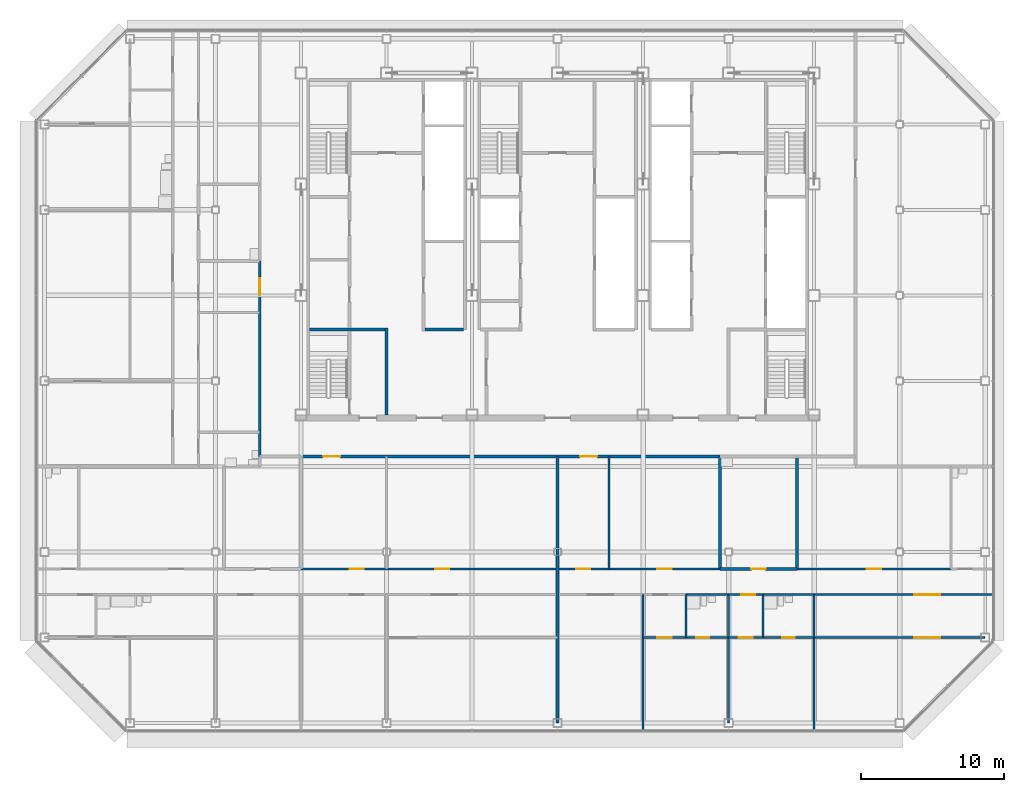
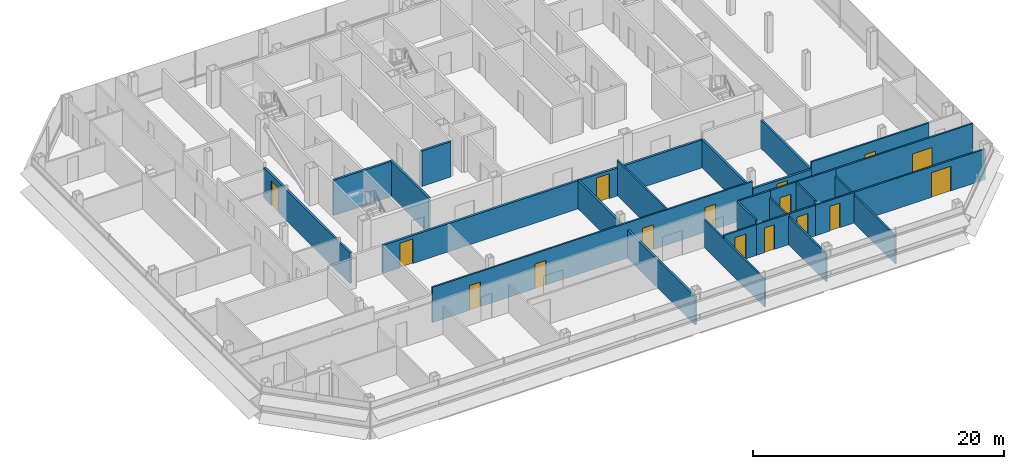
# One storey, part 22 of 27: 28 walls, 16 doors, 16 openings.
"""IFC4 building model written with IfcOpenShell, lengths in metres."""

from ifc_helpers import new_model, si_unit, direction, frame, frame_2d, origin, place, context, subcontext, project, spatial, rectangle, extrude, material, layer, layer_set, type_object, element, fill, save


model = new_model("IFC4")

# Units and contexts
model_context = context("Model", 3, precision=1e-05, world=origin(), true_north=direction((0.0, 1.0)))
body_context = subcontext(model_context, "Body", "Model", "MODEL_VIEW")
ifc_project = project(units=[si_unit("LENGTHUNIT", "METRE"), si_unit("AREAUNIT", "SQUARE_METRE"), si_unit("VOLUMEUNIT", "CUBIC_METRE"), si_unit("PLANEANGLEUNIT", "RADIAN"), si_unit("MASSUNIT", "GRAM", prefix="KILO")], contexts=[model_context])

# Site, building, storey
site_placement = place(None, origin())
site = spatial("IfcSite", under=ifc_project, at=site_placement, CompositionType="ELEMENT")
building_placement = place(site_placement, origin())
building = spatial("IfcBuilding", under=site, at=building_placement, Name="Sorahane Residences", CompositionType="ELEMENT")
storey_placement = place(building_placement, frame((0.0, 0.0, 246.800048828125)))
storey = spatial("IfcBuildingStorey", under=building, at=storey_placement, Name="L58", CompositionType="ELEMENT", Elevation=246.800048828125)

# Wall, opening, door
ifc_material_1 = material(Name="Concrete blockwork C20 wall", Category="masonry")
ifc_layer_1 = layer(ifc_material_1, 0.199951171875)
ifc_layer_set_1 = layer_set([ifc_layer_1], Name="Corridor wall 200 EI 120")
wall_type_1 = type_object("IfcWallType", Name="Corridor wall 200 EI 120", PredefinedType="SOLIDWALL", material=ifc_layer_set_1)
wall_1_placement = place(storey_placement, frame((3.10009765625, 18.699951171875, 0.0), z_axis=(0.0, 0.0, 1.0), x_axis=(0.0, 1.0, 0.0)))
wall_1 = element("IfcWall", 1, at=wall_1_placement, inside=storey, type_object=wall_type_1, Name="L58 corridor wall", PredefinedType="SOLIDWALL", context=body_context, shape_type="SweptSolid", body=[
    extrude(rectangle(XDim=13.699951171875, YDim=0.199951171875, at=frame_2d((6.85009765625, 0.0))), origin(), (0.0, 0.0, 1.0), 2.969970703125),
])
opening_1_placement = place(wall_1_placement, frame((11.300048828125, 0.0, 0.0)))
opening_1 = element("IfcOpeningElement", 2, at=opening_1_placement, cuts=wall_1, Name="Opening L58-42", PredefinedType="OPENING", context=body_context, shape_type="SweptSolid", body=[
    extrude(rectangle(XDim=1.199951171875, YDim=2.39990234375, at=frame_2d((0.60009765625, 1.199951171875))), frame((0.0, 0.10986328125, 0.0), z_axis=(0.0, -1.0, 0.0), x_axis=(1.0, 0.0, 0.0)), (0.0, 0.0, 1.0), 0.219970703125),
])
ifc_material_2 = material(Name="Timber veneered fire door", Category="wood")
door_type_1 = type_object("IfcDoorType", Name="Flat entrance door 1200x2400 FD60", OperationType="NOTDEFINED", PredefinedType="DOOR", material=ifc_material_2)
door_1_placement = place(opening_1_placement, origin())
door_1 = element("IfcDoor", 3, at=door_1_placement, inside=storey, type_object=door_type_1, Name="Flat entrance door L58-42", OperationType="SINGLE_SWING_LEFT", OverallHeight=2.39990234375, OverallWidth=1.199951171875, PredefinedType="DOOR", context=body_context, shape_type="SweptSolid", body=[
    extrude(rectangle(XDim=1.199951171875, YDim=2.39990234375, at=frame_2d((0.60009765625, 1.199951171875))), frame((0.0, 0.02490234375, 0.0), z_axis=(0.0, -1.0, 0.0), x_axis=(1.0, 0.0, 0.0)), (0.0, 0.0, 1.0), 0.050048828125),
])
fill(opening_1, door_1)

# Wall, openings, doors
wall_2_placement = place(storey_placement, frame((6.0, 18.699951171875, 0.0), z_axis=(0.0, 0.0, 1.0), x_axis=(1.0, 0.0, 0.0)))
wall_2 = element("IfcWall", 4, at=wall_2_placement, inside=storey, type_object=wall_type_1, Name="L58 corridor wall", PredefinedType="SOLIDWALL", context=body_context, shape_type="SweptSolid", body=[
    extrude(rectangle(XDim=29.39990234375, YDim=0.199951171875, at=frame_2d((14.699951171875, 0.0))), origin(), (0.0, 0.0, 1.0), 2.719970703125),
])
opening_2_placement = place(wall_2_placement, frame((1.5400390625, 0.0, 0.0)))
opening_2 = element("IfcOpeningElement", 5, at=opening_2_placement, cuts=wall_2, Name="Opening L58-40", PredefinedType="OPENING", context=body_context, shape_type="SweptSolid", body=[
    extrude(rectangle(XDim=1.199951171875, YDim=2.39990234375, at=frame_2d((0.60009765625, 1.199951171875))), frame((0.0, 0.10986328125, 0.0), z_axis=(0.0, -1.0, 0.0), x_axis=(1.0, 0.0, 0.0)), (0.0, 0.0, 1.0), 0.219970703125),
])
opening_3_placement = place(wall_2_placement, frame((19.580078125, 0.0, 0.0)))
opening_3 = element("IfcOpeningElement", 6, at=opening_3_placement, cuts=wall_2, Name="Opening L58-41", PredefinedType="OPENING", context=body_context, shape_type="SweptSolid", body=[
    extrude(rectangle(XDim=1.199951171875, YDim=2.39990234375, at=frame_2d((0.60009765625, 1.199951171875))), frame((0.0, 0.10986328125, 0.0), z_axis=(0.0, -1.0, 0.0), x_axis=(1.0, 0.0, 0.0)), (0.0, 0.0, 1.0), 0.219970703125),
])
door_2_placement = place(opening_2_placement, frame((1.199951171875, 0.0, 0.0), z_axis=(0.0, 0.0, 1.0), x_axis=(-1.0, 0.0, 0.0)))
door_2 = element("IfcDoor", 7, at=door_2_placement, inside=storey, type_object=door_type_1, Name="Flat entrance door L58-40", OperationType="SINGLE_SWING_LEFT", OverallHeight=2.39990234375, OverallWidth=1.199951171875, PredefinedType="DOOR", context=body_context, shape_type="SweptSolid", body=[
    extrude(rectangle(XDim=1.199951171875, YDim=2.39990234375, at=frame_2d((0.60009765625, 1.199951171875))), frame((0.0, 0.02490234375, 0.0), z_axis=(0.0, -1.0, 0.0), x_axis=(1.0, 0.0, 0.0)), (0.0, 0.0, 1.0), 0.050048828125),
])
fill(opening_2, door_2)
door_3_placement = place(opening_3_placement, frame((1.199951171875, 0.0, 0.0), z_axis=(0.0, 0.0, 1.0), x_axis=(-1.0, 0.0, 0.0)))
door_3 = element("IfcDoor", 8, at=door_3_placement, inside=storey, type_object=door_type_1, Name="Flat entrance door L58-41", OperationType="SINGLE_SWING_RIGHT", OverallHeight=2.39990234375, OverallWidth=1.199951171875, PredefinedType="DOOR", context=body_context, shape_type="SweptSolid", body=[
    extrude(rectangle(XDim=1.199951171875, YDim=2.39990234375, at=frame_2d((0.60009765625, 1.199951171875))), frame((0.0, 0.02490234375, 0.0), z_axis=(0.0, -1.0, 0.0), x_axis=(1.0, 0.0, 0.0)), (0.0, 0.0, 1.0), 0.050048828125),
])
fill(opening_3, door_3)

# Walls
ifc_material_3 = material(Name="Concrete C30", Category="concrete")
ifc_layer_2 = layer(ifc_material_3, 0.199951171875)
ifc_layer_set_2 = layer_set([ifc_layer_2], Name="Front room wall 200 EI 120")
wall_type_2 = type_object("IfcWallType", Name="Front room wall 200 EI 120", PredefinedType="PARTITIONING", material=ifc_layer_set_2)
wall_3_placement = place(storey_placement, frame((12.0, 21.60009765625, 0.0), z_axis=(0.0, 0.0, 1.0), x_axis=(0.0, 1.0, 0.0)))
element("IfcWall", 9, at=wall_3_placement, inside=storey, type_object=wall_type_2, Name="L58 front room wall", PredefinedType="PARTITIONING", context=body_context, shape_type="SweptSolid", body=[
    extrude(rectangle(XDim=6.099853515625, YDim=0.199951171875, at=frame_2d((3.0498046875, 0.0))), origin(), (0.0, 0.0, 1.0), 3.419921875),
])
ifc_material_4 = material(Name="Concrete blockwork C20 wall", Category="masonry")
ifc_layer_3 = layer(ifc_material_4, 0.199951171875)
ifc_layer_set_3 = layer_set([ifc_layer_3], Name="Kitchen wall 200 EI 180")
wall_type_3 = type_object("IfcWallType", Name="Kitchen wall 200 EI 180", PredefinedType="SOLIDWALL", material=ifc_layer_set_3)
for number, where, z_axis, x_axis, name in (
    (10, (35.39990234375, 10.800048828125, 0.0), (0.0, 0.0, 1.0), (0.0, 1.0, 0.0), "L58 kitchen wall"),
    (11, (40.800048828125, 10.800048828125, 0.0), (0.0, 0.0, 1.0), (0.0, 1.0, 0.0), "L58 kitchen wall"),
):
    element("IfcWall", number, at=place(storey_placement, frame(where, z_axis=z_axis, x_axis=x_axis)), inside=storey, type_object=wall_type_3, Name=name, PredefinedType="SOLIDWALL", context=body_context, shape_type="SweptSolid", body=[
        extrude(rectangle(XDim=7.89990234375, YDim=0.199951171875, at=frame_2d((3.949951171875, 0.0))), origin(), (0.0, 0.0, 1.0), 2.719970703125),
    ])

# Wall, opening, door
wall_4_placement = place(storey_placement, frame((35.39990234375, 10.800048828125, 0.0), z_axis=(0.0, 0.0, 1.0), x_axis=(1.0, 0.0, 0.0)))
wall_4 = element("IfcWall", 12, at=wall_4_placement, inside=storey, type_object=wall_type_3, Name="L58 kitchen wall", PredefinedType="SOLIDWALL", context=body_context, shape_type="SweptSolid", body=[
    extrude(rectangle(XDim=5.400146484375, YDim=0.199951171875, at=frame_2d((2.7001953125, 0.0))), origin(), (0.0, 0.0, 1.0), 2.719970703125),
])
opening_4_placement = place(wall_4_placement, frame((2.199951171875, 0.0, 0.0)))
opening_4 = element("IfcOpeningElement", 13, at=opening_4_placement, cuts=wall_4, Name="Opening L58-16", PredefinedType="OPENING", context=body_context, shape_type="SweptSolid", body=[
    extrude(rectangle(XDim=1.0, YDim=2.39990234375, at=frame_2d((0.5, 1.199951171875))), frame((0.0, 0.10986328125, 0.0), z_axis=(0.0, -1.0, 0.0), x_axis=(1.0, 0.0, 0.0)), (0.0, 0.0, 1.0), 0.219970703125),
])
ifc_material_5 = material(Name="Steel", Category="steel")
door_type_2 = type_object("IfcDoorType", Name="Kitchen door 1000x2400 FD120", OperationType="NOTDEFINED", PredefinedType="DOOR", material=ifc_material_5)
door_4_placement = place(opening_4_placement, origin())
door_4 = element("IfcDoor", 14, at=door_4_placement, inside=storey, type_object=door_type_2, Name="Kitchen door L58-16", OperationType="SINGLE_SWING_LEFT", OverallHeight=2.39990234375, OverallWidth=1.0, PredefinedType="DOOR", context=body_context, shape_type="SweptSolid", body=[
    extrude(rectangle(XDim=1.0, YDim=2.39990234375, at=frame_2d((0.5, 1.199951171875))), frame((0.0, 0.02490234375, 0.0), z_axis=(0.0, -1.0, 0.0), x_axis=(1.0, 0.0, 0.0)), (0.0, 0.0, 1.0), 0.050048828125),
])
fill(opening_4, door_4)

# Walls
ifc_material_6 = material(Name="Gypsum board partition on steel studs", Category="steel")
ifc_layer_4 = layer(ifc_material_6, 0.14990234375)
ifc_layer_set_4 = layer_set([ifc_layer_4], Name="Partition 150 EI 90")
wall_type_4 = type_object("IfcWallType", Name="Partition 150 EI 90", PredefinedType="PARTITIONING", material=ifc_layer_set_4)
wall_5_placement = place(storey_placement, frame((27.60009765625, 10.800048828125, 0.0), z_axis=(0.0, 0.0, 1.0), x_axis=(0.0, 1.0, 0.0)))
element("IfcWall", 15, at=wall_5_placement, inside=storey, type_object=wall_type_4, Name="L58 partition", PredefinedType="PARTITIONING", context=body_context, shape_type="SweptSolid", body=[
    extrude(rectangle(XDim=7.89990234375, YDim=0.14990234375, at=frame_2d((3.949951171875, 0.0))), origin(), (0.0, 0.0, 1.0), 3.419921875),
])
wall_6_placement = place(storey_placement, frame((30.0, -0.60009765625, 0.0), z_axis=(0.0, 0.0, 1.0), x_axis=(0.0, 1.0, 0.0)))
element("IfcWall", 16, at=wall_6_placement, inside=storey, type_object=wall_type_4, Name="L58 partition", PredefinedType="PARTITIONING", context=body_context, shape_type="SweptSolid", body=[
    extrude(rectangle(XDim=9.60009765625, YDim=0.14990234375, at=frame_2d((4.800048828125, 0.0))), origin(), (0.0, 0.0, 1.0), 2.719970703125),
])
wall_7_placement = place(storey_placement, frame((36.0, 0.0, 0.0), z_axis=(0.0, 0.0, 1.0), x_axis=(0.0, 1.0, 0.0)))
element("IfcWall", 17, at=wall_7_placement, inside=storey, type_object=wall_type_4, Name="L58 partition", PredefinedType="PARTITIONING", context=body_context, shape_type="SweptSolid", body=[
    extrude(rectangle(XDim=6.0, YDim=0.14990234375, at=frame_2d((3.0, 0.0))), origin(), (0.0, 0.0, 1.0), 2.719970703125),
])
wall_8_placement = place(storey_placement, frame((42.0, -0.60009765625, 0.0), z_axis=(0.0, 0.0, 1.0), x_axis=(0.0, 1.0, 0.0)))
element("IfcWall", 18, at=wall_8_placement, inside=storey, type_object=wall_type_4, Name="L58 partition", PredefinedType="PARTITIONING", context=body_context, shape_type="SweptSolid", body=[
    extrude(rectangle(XDim=6.60009765625, YDim=0.14990234375, at=frame_2d((3.300048828125, 0.0))), origin(), (0.0, 0.0, 1.0), 2.719970703125),
])

# Wall, openings, doors
wall_9_placement = place(storey_placement, frame((6.0, 10.800048828125, 0.0), z_axis=(0.0, 0.0, 1.0), x_axis=(1.0, 0.0, 0.0)))
wall_9 = element("IfcWall", 19, at=wall_9_placement, inside=storey, type_object=wall_type_4, Name="L58 partition", PredefinedType="PARTITIONING", context=body_context, shape_type="SweptSolid", body=[
    extrude(rectangle(XDim=29.39990234375, YDim=0.14990234375, at=frame_2d((14.699951171875, 0.0))), origin(), (0.0, 0.0, 1.0), 3.419921875),
])
opening_5_placement = place(wall_9_placement, frame((3.39990234375, 0.0, 0.0)))
opening_5 = element("IfcOpeningElement", 20, at=opening_5_placement, cuts=wall_9, Name="Opening L58-01", PredefinedType="OPENING", context=body_context, shape_type="SweptSolid", body=[
    extrude(rectangle(XDim=1.0, YDim=2.39990234375, at=frame_2d((0.5, 1.199951171875))), frame((0.0, 0.0849609375, 0.0), z_axis=(0.0, -1.0, 0.0), x_axis=(1.0, 0.0, 0.0)), (0.0, 0.0, 1.0), 0.169921875),
])
opening_6_placement = place(wall_9_placement, frame((9.39990234375, 0.0, 0.0)))
opening_6 = element("IfcOpeningElement", 21, at=opening_6_placement, cuts=wall_9, Name="Opening L58-05", PredefinedType="OPENING", context=body_context, shape_type="SweptSolid", body=[
    extrude(rectangle(XDim=1.0, YDim=2.39990234375, at=frame_2d((0.5, 1.199951171875))), frame((0.0, 0.0849609375, 0.0), z_axis=(0.0, -1.0, 0.0), x_axis=(1.0, 0.0, 0.0)), (0.0, 0.0, 1.0), 0.169921875),
])
opening_7_placement = place(wall_9_placement, frame((19.300048828125, 0.0, 0.0)))
opening_7 = element("IfcOpeningElement", 22, at=opening_7_placement, cuts=wall_9, Name="Opening L58-14", PredefinedType="OPENING", context=body_context, shape_type="SweptSolid", body=[
    extrude(rectangle(XDim=1.0, YDim=2.39990234375, at=frame_2d((0.5, 1.199951171875))), frame((0.0, 0.0849609375, 0.0), z_axis=(0.0, -1.0, 0.0), x_axis=(1.0, 0.0, 0.0)), (0.0, 0.0, 1.0), 0.169921875),
])
opening_8_placement = place(wall_9_placement, frame((25.0, 0.0, 0.0)))
opening_8 = element("IfcOpeningElement", 23, at=opening_8_placement, cuts=wall_9, Name="Opening L58-15", PredefinedType="OPENING", context=body_context, shape_type="SweptSolid", body=[
    extrude(rectangle(XDim=1.0, YDim=2.39990234375, at=frame_2d((0.5, 1.199951171875))), frame((0.0, 0.0849609375, 0.0), z_axis=(0.0, -1.0, 0.0), x_axis=(1.0, 0.0, 0.0)), (0.0, 0.0, 1.0), 0.169921875),
])
ifc_material_7 = material(Name="Timber veneered fire door", Category="wood")
door_type_3 = type_object("IfcDoorType", Name="Room door 1000x2400 FD30", OperationType="NOTDEFINED", PredefinedType="DOOR", material=ifc_material_7)
door_5_placement = place(opening_5_placement, frame((1.0, 0.0, 0.0), z_axis=(0.0, 0.0, 1.0), x_axis=(-1.0, 0.0, 0.0)))
door_5 = element("IfcDoor", 24, at=door_5_placement, inside=storey, type_object=door_type_3, Name="Room door L58-01", OperationType="SINGLE_SWING_LEFT", OverallHeight=2.39990234375, OverallWidth=1.0, PredefinedType="DOOR", context=body_context, shape_type="SweptSolid", body=[
    extrude(rectangle(XDim=1.0, YDim=2.39990234375, at=frame_2d((0.5, 1.199951171875))), frame((0.0, 0.02490234375, 0.0), z_axis=(0.0, -1.0, 0.0), x_axis=(1.0, 0.0, 0.0)), (0.0, 0.0, 1.0), 0.050048828125),
])
fill(opening_5, door_5)
door_6_placement = place(opening_6_placement, origin())
door_6 = element("IfcDoor", 25, at=door_6_placement, inside=storey, type_object=door_type_3, Name="Room door L58-05", OperationType="SINGLE_SWING_LEFT", OverallHeight=2.39990234375, OverallWidth=1.0, PredefinedType="DOOR", context=body_context, shape_type="SweptSolid", body=[
    extrude(rectangle(XDim=1.0, YDim=2.39990234375, at=frame_2d((0.5, 1.199951171875))), frame((0.0, 0.02490234375, 0.0), z_axis=(0.0, -1.0, 0.0), x_axis=(1.0, 0.0, 0.0)), (0.0, 0.0, 1.0), 0.050048828125),
])
fill(opening_6, door_6)
door_7_placement = place(opening_7_placement, frame((1.0, 0.0, 0.0), z_axis=(0.0, 0.0, 1.0), x_axis=(-1.0, 0.0, 0.0)))
door_7 = element("IfcDoor", 26, at=door_7_placement, inside=storey, type_object=door_type_3, Name="Room door L58-14", OperationType="SINGLE_SWING_LEFT", OverallHeight=2.39990234375, OverallWidth=1.0, PredefinedType="DOOR", context=body_context, shape_type="SweptSolid", body=[
    extrude(rectangle(XDim=1.0, YDim=2.39990234375, at=frame_2d((0.5, 1.199951171875))), frame((0.0, 0.02490234375, 0.0), z_axis=(0.0, -1.0, 0.0), x_axis=(1.0, 0.0, 0.0)), (0.0, 0.0, 1.0), 0.050048828125),
])
fill(opening_7, door_7)
door_8_placement = place(opening_8_placement, origin())
door_8 = element("IfcDoor", 27, at=door_8_placement, inside=storey, type_object=door_type_3, Name="Room door L58-15", OperationType="SINGLE_SWING_LEFT", OverallHeight=2.39990234375, OverallWidth=1.0, PredefinedType="DOOR", context=body_context, shape_type="SweptSolid", body=[
    extrude(rectangle(XDim=1.0, YDim=2.39990234375, at=frame_2d((0.5, 1.199951171875))), frame((0.0, 0.02490234375, 0.0), z_axis=(0.0, -1.0, 0.0), x_axis=(1.0, 0.0, 0.0)), (0.0, 0.0, 1.0), 0.050048828125),
])
fill(opening_8, door_8)

# Wall, opening, door
wall_10_placement = place(storey_placement, frame((40.800048828125, 10.800048828125, 0.0), z_axis=(0.0, 0.0, 1.0), x_axis=(1.0, 0.0, 0.0)))
wall_10 = element("IfcWall", 28, at=wall_10_placement, inside=storey, type_object=wall_type_4, Name="L58 partition", PredefinedType="PARTITIONING", context=body_context, shape_type="SweptSolid", body=[
    extrude(rectangle(XDim=10.800048828125, YDim=0.14990234375, at=frame_2d((5.39990234375, 0.0))), origin(), (0.0, 0.0, 1.0), 3.419921875),
])
opening_9_placement = place(wall_10_placement, frame((4.89990234375, 0.0, 0.0)))
opening_9 = element("IfcOpeningElement", 29, at=opening_9_placement, cuts=wall_10, Name="Opening L58-17", PredefinedType="OPENING", context=body_context, shape_type="SweptSolid", body=[
    extrude(rectangle(XDim=1.0, YDim=2.39990234375, at=frame_2d((0.5, 1.199951171875))), frame((0.0, 0.0849609375, 0.0), z_axis=(0.0, -1.0, 0.0), x_axis=(1.0, 0.0, 0.0)), (0.0, 0.0, 1.0), 0.169921875),
])
door_9_placement = place(opening_9_placement, origin())
door_9 = element("IfcDoor", 30, at=door_9_placement, inside=storey, type_object=door_type_3, Name="Room door L58-17", OperationType="SINGLE_SWING_RIGHT", OverallHeight=2.39990234375, OverallWidth=1.0, PredefinedType="DOOR", context=body_context, shape_type="SweptSolid", body=[
    extrude(rectangle(XDim=1.0, YDim=2.39990234375, at=frame_2d((0.5, 1.199951171875))), frame((0.0, 0.02490234375, 0.0), z_axis=(0.0, -1.0, 0.0), x_axis=(1.0, 0.0, 0.0)), (0.0, 0.0, 1.0), 0.050048828125),
])
fill(opening_9, door_9)

wall_11_placement = place(storey_placement, frame((30.0, 6.0, 0.0), z_axis=(0.0, 0.0, 1.0), x_axis=(1.0, 0.0, 0.0)))
wall_11 = element("IfcWall", 31, at=wall_11_placement, inside=storey, type_object=wall_type_4, Name="L58 partition", PredefinedType="PARTITIONING", context=body_context, shape_type="SweptSolid", body=[
    extrude(rectangle(XDim=3.0, YDim=0.14990234375, at=frame_2d((1.5, 0.0))), origin(), (0.0, 0.0, 1.0), 2.969970703125),
])
opening_10_placement = place(wall_11_placement, frame((1.0, 0.0, 0.0)))
opening_10 = element("IfcOpeningElement", 32, at=opening_10_placement, cuts=wall_11, Name="Opening L58-23", PredefinedType="OPENING", context=body_context, shape_type="SweptSolid", body=[
    extrude(rectangle(XDim=1.0, YDim=2.39990234375, at=frame_2d((0.5, 1.199951171875))), frame((0.0, 0.0849609375, 0.0), z_axis=(0.0, -1.0, 0.0), x_axis=(1.0, 0.0, 0.0)), (0.0, 0.0, 1.0), 0.169921875),
])
door_10_placement = place(opening_10_placement, frame((1.0, 0.0, 0.0), z_axis=(0.0, 0.0, 1.0), x_axis=(-1.0, 0.0, 0.0)))
door_10 = element("IfcDoor", 33, at=door_10_placement, inside=storey, type_object=door_type_3, Name="Room door L58-23", OperationType="SINGLE_SWING_LEFT", OverallHeight=2.39990234375, OverallWidth=1.0, PredefinedType="DOOR", context=body_context, shape_type="SweptSolid", body=[
    extrude(rectangle(XDim=1.0, YDim=2.39990234375, at=frame_2d((0.5, 1.199951171875))), frame((0.0, 0.02490234375, 0.0), z_axis=(0.0, -1.0, 0.0), x_axis=(1.0, 0.0, 0.0)), (0.0, 0.0, 1.0), 0.050048828125),
])
fill(opening_10, door_10)

wall_12_placement = place(storey_placement, frame((36.0, 6.0, 0.0), z_axis=(0.0, 0.0, 1.0), x_axis=(1.0, 0.0, 0.0)))
wall_12 = element("IfcWall", 34, at=wall_12_placement, inside=storey, type_object=wall_type_4, Name="L58 partition", PredefinedType="PARTITIONING", context=body_context, shape_type="SweptSolid", body=[
    extrude(rectangle(XDim=2.39990234375, YDim=0.14990234375, at=frame_2d((1.199951171875, 0.0))), origin(), (0.0, 0.0, 1.0), 2.969970703125),
])
opening_11_placement = place(wall_12_placement, frame((0.699951171875, 0.0, 0.0)))
opening_11 = element("IfcOpeningElement", 35, at=opening_11_placement, cuts=wall_12, Name="Opening L58-25", PredefinedType="OPENING", context=body_context, shape_type="SweptSolid", body=[
    extrude(rectangle(XDim=1.0, YDim=2.39990234375, at=frame_2d((0.5, 1.199951171875))), frame((0.0, 0.0849609375, 0.0), z_axis=(0.0, -1.0, 0.0), x_axis=(1.0, 0.0, 0.0)), (0.0, 0.0, 1.0), 0.169921875),
])
door_11_placement = place(opening_11_placement, frame((1.0, 0.0, 0.0), z_axis=(0.0, 0.0, 1.0), x_axis=(-1.0, 0.0, 0.0)))
door_11 = element("IfcDoor", 36, at=door_11_placement, inside=storey, type_object=door_type_3, Name="Room door L58-25", OperationType="SINGLE_SWING_RIGHT", OverallHeight=2.39990234375, OverallWidth=1.0, PredefinedType="DOOR", context=body_context, shape_type="SweptSolid", body=[
    extrude(rectangle(XDim=1.0, YDim=2.39990234375, at=frame_2d((0.5, 1.199951171875))), frame((0.0, 0.02490234375, 0.0), z_axis=(0.0, -1.0, 0.0), x_axis=(1.0, 0.0, 0.0)), (0.0, 0.0, 1.0), 0.050048828125),
])
fill(opening_11, door_11)

wall_13_placement = place(storey_placement, frame((42.0, 6.0, 0.0), z_axis=(0.0, 0.0, 1.0), x_axis=(1.0, 0.0, 0.0)))
wall_13 = element("IfcWall", 37, at=wall_13_placement, inside=storey, type_object=wall_type_4, Name="L58 partition", PredefinedType="PARTITIONING", context=body_context, shape_type="SweptSolid", body=[
    extrude(rectangle(XDim=12.0, YDim=0.14990234375, at=frame_2d((6.0, 0.0))), origin(), (0.0, 0.0, 1.0), 2.969970703125),
])
opening_12_placement = place(wall_13_placement, frame((7.0400390625, 0.0, 0.0)))
opening_12 = element("IfcOpeningElement", 38, at=opening_12_placement, cuts=wall_13, Name="Opening L58-27", PredefinedType="OPENING", context=body_context, shape_type="SweptSolid", body=[
    extrude(rectangle(XDim=1.800048828125, YDim=2.39990234375, at=frame_2d((0.89990234375, 1.199951171875))), frame((0.0, 0.0849609375, 0.0), z_axis=(0.0, -1.0, 0.0), x_axis=(1.0, 0.0, 0.0)), (0.0, 0.0, 1.0), 0.169921875),
])
ifc_material_8 = material(Name="Timber veneered fire door", Category="wood")
door_type_4 = type_object("IfcDoorType", Name="Double door 1800x2400 FD30", OperationType="NOTDEFINED", PredefinedType="DOOR", material=ifc_material_8)
door_12_placement = place(opening_12_placement, frame((1.800048828125, 0.0, 0.0), z_axis=(0.0, 0.0, 1.0), x_axis=(-1.0, 0.0, 0.0)))
door_12 = element("IfcDoor", 39, at=door_12_placement, inside=storey, type_object=door_type_4, Name="Double door L58-27", OperationType="SINGLE_SWING_RIGHT", OverallHeight=2.39990234375, OverallWidth=1.800048828125, PredefinedType="DOOR", context=body_context, shape_type="SweptSolid", body=[
    extrude(rectangle(XDim=1.800048828125, YDim=2.39990234375, at=frame_2d((0.89990234375, 1.199951171875))), frame((0.0, 0.02490234375, 0.0), z_axis=(0.0, -1.0, 0.0), x_axis=(1.0, 0.0, 0.0)), (0.0, 0.0, 1.0), 0.050048828125),
])
fill(opening_12, door_12)

wall_14_placement = place(storey_placement, frame((36.0, 9.0, 0.0), z_axis=(0.0, 0.0, 1.0), x_axis=(1.0, 0.0, 0.0)))
wall_14 = element("IfcWall", 40, at=wall_14_placement, inside=storey, type_object=wall_type_4, Name="L58 partition", PredefinedType="PARTITIONING", context=body_context, shape_type="SweptSolid", body=[
    extrude(rectangle(XDim=2.39990234375, YDim=0.14990234375, at=frame_2d((1.199951171875, 0.0))), origin(), (0.0, 0.0, 1.0), 3.419921875),
])
opening_13_placement = place(wall_14_placement, frame((0.8798828125, 0.0, 0.0)))
opening_13 = element("IfcOpeningElement", 41, at=opening_13_placement, cuts=wall_14, Name="Opening L58-21", PredefinedType="OPENING", context=body_context, shape_type="SweptSolid", body=[
    extrude(rectangle(XDim=1.0, YDim=2.39990234375, at=frame_2d((0.5, 1.199951171875))), frame((0.0, 0.0849609375, 0.0), z_axis=(0.0, -1.0, 0.0), x_axis=(1.0, 0.0, 0.0)), (0.0, 0.0, 1.0), 0.169921875),
])
door_13_placement = place(opening_13_placement, frame((1.0, 0.0, 0.0), z_axis=(0.0, 0.0, 1.0), x_axis=(-1.0, 0.0, 0.0)))
door_13 = element("IfcDoor", 42, at=door_13_placement, inside=storey, type_object=door_type_3, Name="Room door L58-21", OperationType="SINGLE_SWING_RIGHT", OverallHeight=2.39990234375, OverallWidth=1.0, PredefinedType="DOOR", context=body_context, shape_type="SweptSolid", body=[
    extrude(rectangle(XDim=1.0, YDim=2.39990234375, at=frame_2d((0.5, 1.199951171875))), frame((0.0, 0.02490234375, 0.0), z_axis=(0.0, -1.0, 0.0), x_axis=(1.0, 0.0, 0.0)), (0.0, 0.0, 1.0), 0.050048828125),
])
fill(opening_13, door_13)

wall_15_placement = place(storey_placement, frame((42.0, 9.0, 0.0), z_axis=(0.0, 0.0, 1.0), x_axis=(1.0, 0.0, 0.0)))
wall_15 = element("IfcWall", 43, at=wall_15_placement, inside=storey, type_object=wall_type_4, Name="L58 partition", PredefinedType="PARTITIONING", context=body_context, shape_type="SweptSolid", body=[
    extrude(rectangle(XDim=12.60009765625, YDim=0.14990234375, at=frame_2d((6.300048828125, 0.0))), origin(), (0.0, 0.0, 1.0), 3.419921875),
])
opening_14_placement = place(wall_15_placement, frame((7.0400390625, 0.0, 0.0)))
opening_14 = element("IfcOpeningElement", 44, at=opening_14_placement, cuts=wall_15, Name="Opening L58-22", PredefinedType="OPENING", context=body_context, shape_type="SweptSolid", body=[
    extrude(rectangle(XDim=1.800048828125, YDim=2.39990234375, at=frame_2d((0.89990234375, 1.199951171875))), frame((0.0, 0.0849609375, 0.0), z_axis=(0.0, -1.0, 0.0), x_axis=(1.0, 0.0, 0.0)), (0.0, 0.0, 1.0), 0.169921875),
])
door_14_placement = place(opening_14_placement, frame((1.800048828125, 0.0, 0.0), z_axis=(0.0, 0.0, 1.0), x_axis=(-1.0, 0.0, 0.0)))
door_14 = element("IfcDoor", 45, at=door_14_placement, inside=storey, type_object=door_type_4, Name="Double door L58-22", OperationType="SINGLE_SWING_LEFT", OverallHeight=2.39990234375, OverallWidth=1.800048828125, PredefinedType="DOOR", context=body_context, shape_type="SweptSolid", body=[
    extrude(rectangle(XDim=1.800048828125, YDim=2.39990234375, at=frame_2d((0.89990234375, 1.199951171875))), frame((0.0, 0.02490234375, 0.0), z_axis=(0.0, -1.0, 0.0), x_axis=(1.0, 0.0, 0.0)), (0.0, 0.0, 1.0), 0.050048828125),
])
fill(opening_14, door_14)

# Walls
ifc_material_9 = material(Name="Concrete blockwork C20 wall", Category="masonry")
ifc_layer_5 = layer(ifc_material_9, 0.199951171875)
ifc_layer_set_5 = layer_set([ifc_layer_5], Name="Party wall 200 EI 120")
wall_type_5 = type_object("IfcWallType", Name="Party wall 200 EI 120", PredefinedType="SOLIDWALL", material=ifc_layer_set_5)
wall_16_placement = place(storey_placement, frame((24.0, 0.0, 0.0), z_axis=(0.0, 0.0, 1.0), x_axis=(0.0, 1.0, 0.0)))
element("IfcWall", 46, at=wall_16_placement, inside=storey, type_object=wall_type_5, Name="L58 party wall", PredefinedType="SOLIDWALL", context=body_context, shape_type="SweptSolid", body=[
    extrude(rectangle(XDim=18.699951171875, YDim=0.199951171875, at=frame_2d((9.35009765625, 0.0))), origin(), (0.0, 0.0, 1.0), 2.719970703125),
])
ifc_material_10 = material(Name="Concrete C30", Category="concrete")
ifc_layer_6 = layer(ifc_material_10, 0.199951171875)
ifc_layer_set_6 = layer_set([ifc_layer_6], Name="Service room partition 200 EI 60")
wall_type_6 = type_object("IfcWallType", Name="Service room partition 200 EI 60", PredefinedType="PARTITIONING", material=ifc_layer_set_6)
wall_17_placement = place(storey_placement, frame((14.699951171875, 27.60009765625, 0.0), z_axis=(0.0, 0.0, 1.0), x_axis=(1.0, 0.0, 0.0)))
element("IfcWall", 47, at=wall_17_placement, inside=storey, type_object=wall_type_6, Name="L58 service room wall", PredefinedType="PARTITIONING", context=body_context, shape_type="SweptSolid", body=[
    extrude(rectangle(XDim=2.699951171875, YDim=0.199951171875, at=frame_2d((1.35009765625, 0.0))), origin(), (0.0, 0.0, 1.0), 3.419921875),
])
ifc_material_11 = material(Name="Concrete C30", Category="concrete")
ifc_layer_7 = layer(ifc_material_11, 0.199951171875)
ifc_layer_set_7 = layer_set([ifc_layer_7], Name="Stair enclosure wall 200 EI 120")
wall_type_7 = type_object("IfcWallType", Name="Stair enclosure wall 200 EI 120", PredefinedType="SOLIDWALL", material=ifc_layer_set_7)
wall_18_placement = place(storey_placement, frame((6.60009765625, 27.60009765625, 0.0), z_axis=(0.0, 0.0, 1.0), x_axis=(1.0, 0.0, 0.0)))
element("IfcWall", 48, at=wall_18_placement, inside=storey, type_object=wall_type_7, Name="L58 stair enclosure wall", PredefinedType="SOLIDWALL", context=body_context, shape_type="SweptSolid", body=[
    extrude(rectangle(XDim=5.2998046875, YDim=0.199951171875, at=frame_2d((2.64990234375, 0.0))), origin(), (0.0, 0.0, 1.0), 3.419921875),
])
ifc_material_12 = material(Name="Gypsum board partition on steel studs", Category="steel")
ifc_layer_8 = layer(ifc_material_12, 0.14990234375)
ifc_layer_set_8 = layer_set([ifc_layer_8], Name="Wet wall 150 EI 90")
wall_type_8 = type_object("IfcWallType", Name="Wet wall 150 EI 90", PredefinedType="PARTITIONING", material=ifc_layer_set_8)
wall_19_placement = place(storey_placement, frame((33.0, 6.0, 0.0), z_axis=(0.0, 0.0, 1.0), x_axis=(0.0, 1.0, 0.0)))
element("IfcWall", 49, at=wall_19_placement, inside=storey, type_object=wall_type_8, Name="L58 wet wall", PredefinedType="PARTITIONING", context=body_context, shape_type="SweptSolid", body=[
    extrude(rectangle(XDim=3.0, YDim=0.14990234375, at=frame_2d((1.5, 0.0))), origin(), (0.0, 0.0, 1.0), 3.419921875),
])
wall_20_placement = place(storey_placement, frame((36.0, 6.0, 0.0), z_axis=(0.0, 0.0, 1.0), x_axis=(0.0, 1.0, 0.0)))
element("IfcWall", 50, at=wall_20_placement, inside=storey, type_object=wall_type_8, Name="L58 wet wall", PredefinedType="PARTITIONING", context=body_context, shape_type="SweptSolid", body=[
    extrude(rectangle(XDim=3.0, YDim=0.14990234375, at=frame_2d((1.5, 0.0))), origin(), (0.0, 0.0, 1.0), 2.719970703125),
])
wall_21_placement = place(storey_placement, frame((38.39990234375, 6.0, 0.0), z_axis=(0.0, 0.0, 1.0), x_axis=(0.0, 1.0, 0.0)))
element("IfcWall", 51, at=wall_21_placement, inside=storey, type_object=wall_type_8, Name="L58 wet wall", PredefinedType="PARTITIONING", context=body_context, shape_type="SweptSolid", body=[
    extrude(rectangle(XDim=3.0, YDim=0.14990234375, at=frame_2d((1.5, 0.0))), origin(), (0.0, 0.0, 1.0), 3.419921875),
])
wall_22_placement = place(storey_placement, frame((42.0, 6.0, 0.0), z_axis=(0.0, 0.0, 1.0), x_axis=(0.0, 1.0, 0.0)))
element("IfcWall", 52, at=wall_22_placement, inside=storey, type_object=wall_type_8, Name="L58 wet wall", PredefinedType="PARTITIONING", context=body_context, shape_type="SweptSolid", body=[
    extrude(rectangle(XDim=3.0, YDim=0.14990234375, at=frame_2d((1.5, 0.0))), origin(), (0.0, 0.0, 1.0), 2.719970703125),
])

# Wall, opening, door
wall_23_placement = place(storey_placement, frame((33.0, 6.0, 0.0), z_axis=(0.0, 0.0, 1.0), x_axis=(1.0, 0.0, 0.0)))
wall_23 = element("IfcWall", 53, at=wall_23_placement, inside=storey, type_object=wall_type_8, Name="L58 wet wall", PredefinedType="PARTITIONING", context=body_context, shape_type="SweptSolid", body=[
    extrude(rectangle(XDim=3.0, YDim=0.14990234375, at=frame_2d((1.5, 0.0))), origin(), (0.0, 0.0, 1.0), 2.969970703125),
])
opening_15_placement = place(wall_23_placement, frame((0.72998046875, 0.0, 0.0)))
opening_15 = element("IfcOpeningElement", 54, at=opening_15_placement, cuts=wall_23, Name="Opening L58-24", PredefinedType="OPENING", context=body_context, shape_type="SweptSolid", body=[
    extrude(rectangle(XDim=0.89990234375, YDim=2.39990234375, at=frame_2d((0.449951171875, 1.199951171875))), frame((0.0, 0.0849609375, 0.0), z_axis=(0.0, -1.0, 0.0), x_axis=(1.0, 0.0, 0.0)), (0.0, 0.0, 1.0), 0.169921875),
])
ifc_material_13 = material(Name="Timber veneered fire door", Category="wood")
door_type_5 = type_object("IfcDoorType", Name="Bathroom door 900x2400 FD30", OperationType="NOTDEFINED", PredefinedType="DOOR", material=ifc_material_13)
door_15_placement = place(opening_15_placement, frame((0.89990234375, 0.0, 0.0), z_axis=(0.0, 0.0, 1.0), x_axis=(-1.0, 0.0, 0.0)))
door_15 = element("IfcDoor", 55, at=door_15_placement, inside=storey, type_object=door_type_5, Name="Bathroom door L58-24", OperationType="SINGLE_SWING_RIGHT", OverallHeight=2.39990234375, OverallWidth=0.89990234375, PredefinedType="DOOR", context=body_context, shape_type="SweptSolid", body=[
    extrude(rectangle(XDim=0.89990234375, YDim=2.39990234375, at=frame_2d((0.449951171875, 1.199951171875))), frame((0.0, 0.02490234375, 0.0), z_axis=(0.0, -1.0, 0.0), x_axis=(1.0, 0.0, 0.0)), (0.0, 0.0, 1.0), 0.050048828125),
])
fill(opening_15, door_15)

wall_24_placement = place(storey_placement, frame((38.39990234375, 6.0, 0.0), z_axis=(0.0, 0.0, 1.0), x_axis=(1.0, 0.0, 0.0)))
wall_24 = element("IfcWall", 56, at=wall_24_placement, inside=storey, type_object=wall_type_8, Name="L58 wet wall", PredefinedType="PARTITIONING", context=body_context, shape_type="SweptSolid", body=[
    extrude(rectangle(XDim=3.60009765625, YDim=0.14990234375, at=frame_2d((1.800048828125, 0.0))), origin(), (0.0, 0.0, 1.0), 2.969970703125),
])
opening_16_placement = place(wall_24_placement, frame((1.35009765625, 0.0, 0.0)))
opening_16 = element("IfcOpeningElement", 57, at=opening_16_placement, cuts=wall_24, Name="Opening L58-26", PredefinedType="OPENING", context=body_context, shape_type="SweptSolid", body=[
    extrude(rectangle(XDim=0.89990234375, YDim=2.39990234375, at=frame_2d((0.449951171875, 1.199951171875))), frame((0.0, 0.0849609375, 0.0), z_axis=(0.0, -1.0, 0.0), x_axis=(1.0, 0.0, 0.0)), (0.0, 0.0, 1.0), 0.169921875),
])
door_16_placement = place(opening_16_placement, frame((0.89990234375, 0.0, 0.0), z_axis=(0.0, 0.0, 1.0), x_axis=(-1.0, 0.0, 0.0)))
door_16 = element("IfcDoor", 58, at=door_16_placement, inside=storey, type_object=door_type_5, Name="Bathroom door L58-26", OperationType="SINGLE_SWING_RIGHT", OverallHeight=2.39990234375, OverallWidth=0.89990234375, PredefinedType="DOOR", context=body_context, shape_type="SweptSolid", body=[
    extrude(rectangle(XDim=0.89990234375, YDim=2.39990234375, at=frame_2d((0.449951171875, 1.199951171875))), frame((0.0, 0.02490234375, 0.0), z_axis=(0.0, -1.0, 0.0), x_axis=(1.0, 0.0, 0.0)), (0.0, 0.0, 1.0), 0.050048828125),
])
fill(opening_16, door_16)

# Walls
wall_25_placement = place(storey_placement, frame((33.0, 9.0, 0.0), z_axis=(0.0, 0.0, 1.0), x_axis=(1.0, 0.0, 0.0)))
element("IfcWall", 59, at=wall_25_placement, inside=storey, type_object=wall_type_8, Name="L58 wet wall", PredefinedType="PARTITIONING", context=body_context, shape_type="SweptSolid", body=[
    extrude(rectangle(XDim=3.0, YDim=0.14990234375, at=frame_2d((1.5, 0.0))), origin(), (0.0, 0.0, 1.0), 3.419921875),
])
wall_26_placement = place(storey_placement, frame((38.39990234375, 9.0, 0.0), z_axis=(0.0, 0.0, 1.0), x_axis=(1.0, 0.0, 0.0)))
element("IfcWall", 60, at=wall_26_placement, inside=storey, type_object=wall_type_8, Name="L58 wet wall", PredefinedType="PARTITIONING", context=body_context, shape_type="SweptSolid", body=[
    extrude(rectangle(XDim=3.60009765625, YDim=0.14990234375, at=frame_2d((1.800048828125, 0.0))), origin(), (0.0, 0.0, 1.0), 3.419921875),
])

save(model, "model.ifc")
